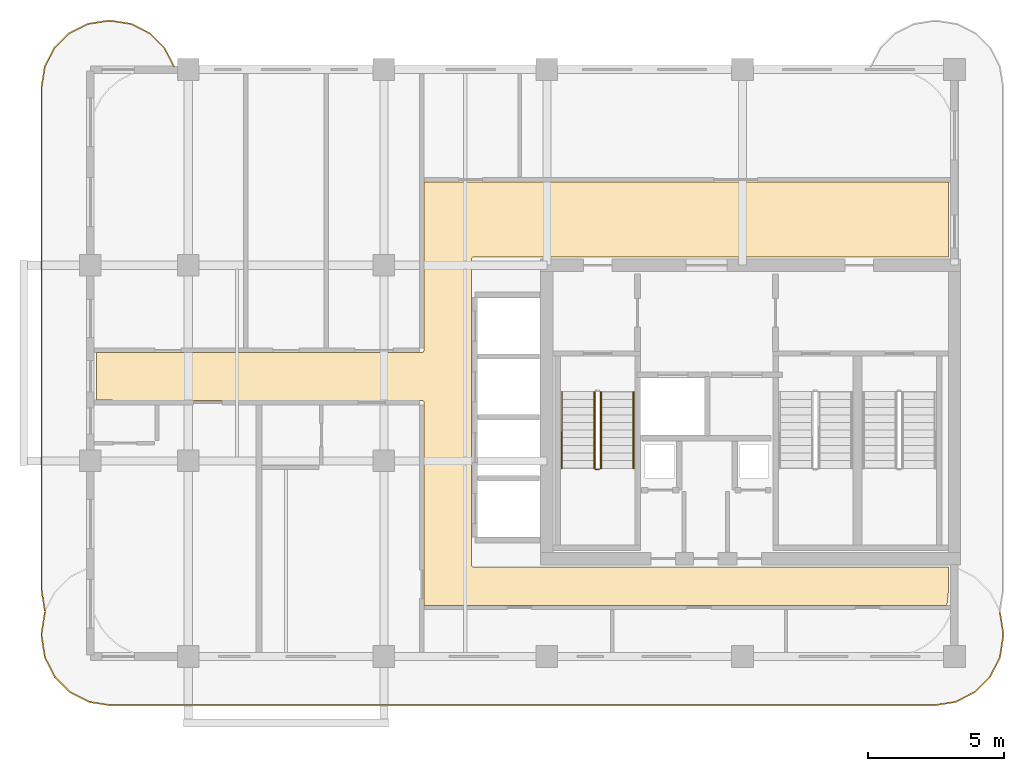
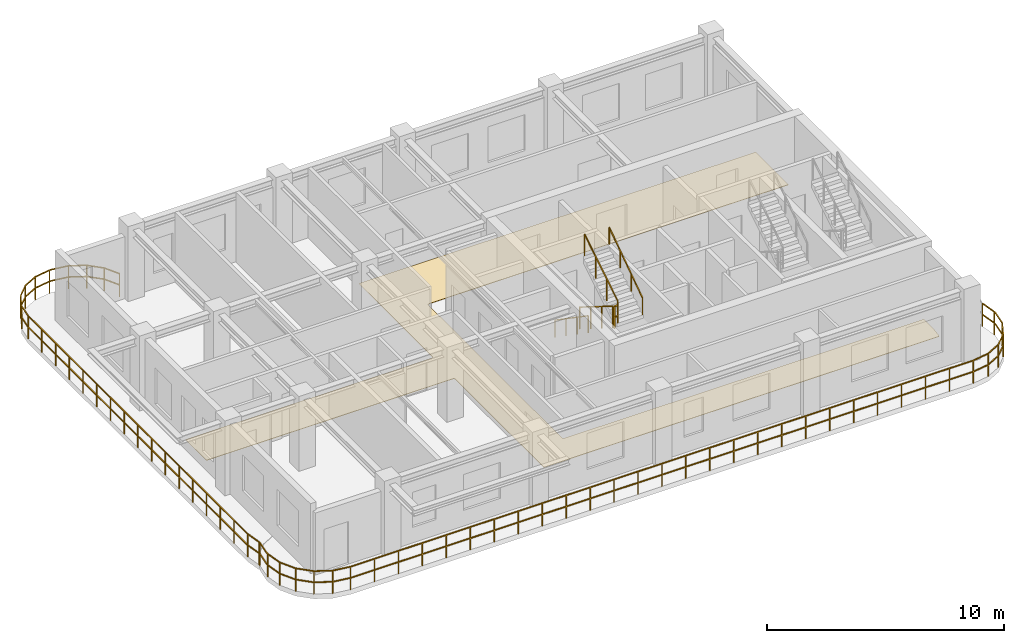
# One storey, part 6 of 7: 7 railings, 1 covering.
"""IFC4 building model written with IfcOpenShell, lengths in metres."""

import ifcopenshell
import ifcopenshell.guid

model = None  # the IFC model being written
_history = None  # IfcOwnerHistory: only IFC2X3 demands one
_inside = {}  # id of a spatial element -> (the spatial element, [elements in it])
_under = {}  # id of a project, library or spatial element -> (it, [spatial elements below it])
_declared = {}  # id of a project -> (the project, [libraries it declares])
_typed = {}  # id of a type object -> (the type object, [elements of that type])
_made_of = {}  # id of a material, layer set ... -> (it, [elements and type objects made of it])


def new_model(schema):
    """Start an empty IFC model of exactly this schema.

    Asked for "IFC4X3", IfcOpenShell would pick the latest addendum, in which some entities
    have other attributes; the version numbers below select the first issue.
    IFC2X3 requires an IfcOwnerHistory on every rooted entity: one is made here for all.
    """
    global model, _history
    if schema == "IFC4X3":
        model = ifcopenshell.file(schema_version=(4, 3, 0, 0))
    else:
        model = ifcopenshell.file(schema=schema)
    _inside.clear()
    _under.clear()
    _declared.clear()
    _typed.clear()
    _made_of.clear()
    _history = None
    if model.schema == "IFC2X3":
        org = make("IfcOrganization", Name="unknown")
        user = make(
            "IfcPersonAndOrganization",
            ThePerson=make("IfcPerson", FamilyName="unknown"),
            TheOrganization=org,
        )
        app = make(
            "IfcApplication",
            ApplicationDeveloper=org,
            Version="unknown",
            ApplicationFullName="unknown",
            ApplicationIdentifier="unknown",
        )
        _history = make(
            "IfcOwnerHistory",
            OwningUser=user,
            OwningApplication=app,
            ChangeAction="ADDED",
            CreationDate=0,
        )
    return model


def make(cls, **values):
    """One entity of the class cls with the attributes given. An attribute that is None is left unset."""
    return model.create_entity(
        cls, **{name: value for name, value in values.items() if value is not None}
    )


def rooted(cls, **values):
    """An entity with a GlobalId (a new one), such as an element, a storey or a relation."""
    return make(cls, GlobalId=ifcopenshell.guid.new(), OwnerHistory=_history, **values)


def si_unit(unit_type, name, prefix=None):
    """IfcSIUnit, for example si_unit("LENGTHUNIT", "METRE", prefix="MILLI")."""
    return make("IfcSIUnit", UnitType=unit_type, Prefix=prefix, Name=name)


def derived_unit(unit_type, elements):
    """IfcDerivedUnit: a product of units, each with its exponent."""
    return make(
        "IfcDerivedUnit",
        Elements=[
            make("IfcDerivedUnitElement", Unit=unit, Exponent=power)
            for unit, power in elements
        ],
        UnitType=unit_type,
    )


def assignment(units):
    """IfcUnitAssignment: the units of a project."""
    return None if units is None else make("IfcUnitAssignment", Units=units)


def point(xyz):
    """IfcCartesianPoint."""
    return None if xyz is None else make("IfcCartesianPoint", Coordinates=xyz)


def direction(xyz):
    """IfcDirection."""
    return None if xyz is None else make("IfcDirection", DirectionRatios=xyz)


def frame(location, z_axis=None, x_axis=None):
    """IfcAxis2Placement3D, a coordinate frame: its origin and axes. An axis left out is left unset."""
    return make(
        "IfcAxis2Placement3D",
        Location=point(location),
        Axis=direction(z_axis),
        RefDirection=direction(x_axis),
    )


def frame_2d(location, x_axis=None):
    """IfcAxis2Placement2D, a coordinate frame in the plane: its origin and x axis."""
    return make(
        "IfcAxis2Placement2D", Location=point(location), RefDirection=direction(x_axis)
    )


def origin():
    """The frame at (0, 0, 0) with its axes left unset."""
    return frame((0.0, 0.0, 0.0))


def origin_2d():
    """The frame at (0, 0) in the plane with its x axis left unset."""
    return frame_2d((0.0, 0.0))


def place(relative_to, where):
    """IfcLocalPlacement: puts the frame where relative to a parent placement (None: the world)."""
    return make(
        "IfcLocalPlacement", PlacementRelTo=relative_to, RelativePlacement=where
    )


def context(
    kind, dimensions, precision=None, world=None, true_north=None, identifier=None
):
    """IfcGeometricRepresentationContext, for example the 3D "Model" context."""
    return make(
        "IfcGeometricRepresentationContext",
        ContextIdentifier=identifier,
        ContextType=kind,
        CoordinateSpaceDimension=dimensions,
        Precision=precision,
        WorldCoordinateSystem=world,
        TrueNorth=true_north,
    )


def subcontext(parent, identifier, kind, view, scale=None):
    """IfcGeometricRepresentationSubContext, for example "Body" below "Model"."""
    return make(
        "IfcGeometricRepresentationSubContext",
        ContextIdentifier=identifier,
        ContextType=kind,
        ParentContext=parent,
        TargetScale=scale,
        TargetView=view,
    )


def project(units=None, contexts=None):
    """IfcProject with its units and contexts."""
    return rooted(
        "IfcProject",
        Name="project",
        RepresentationContexts=contexts,
        UnitsInContext=assignment(units),
    )


def spatial(cls, under=None, at=None, **own):
    """A site, building, storey or space (cls), placed at a placement, below another one or the project."""
    s = rooted(cls, ObjectPlacement=at, **own)
    if under is not None:
        _under.setdefault(under.id(), (under, []))[1].append(s)
    return s


def polyline(points):
    """IfcPolyline through the points."""
    return make("IfcPolyline", Points=[point(p) for p in points])


def profile(cls, at=None, kind="AREA", **sizes):
    """A parametric profile (cls). Its sizes go by their IFC names, for example OverallWidth=200.0."""
    return make(cls, ProfileType=kind, Position=at, **sizes)


def rectangle(**sizes):
    """IfcRectangleProfileDef."""
    return profile("IfcRectangleProfileDef", **sizes)


def outline(outer, holes=None, kind="AREA"):
    """IfcArbitraryClosedProfileDef: a profile drawn as a closed curve; with holes, ...WithVoids."""
    if holes is None:
        return make("IfcArbitraryClosedProfileDef", ProfileType=kind, OuterCurve=outer)
    return make(
        "IfcArbitraryProfileDefWithVoids",
        ProfileType=kind,
        OuterCurve=outer,
        InnerCurves=holes,
    )


def extrude(swept, where, along, depth):
    """IfcExtrudedAreaSolid: the profile swept, set in the frame where, extruded along a direction by depth."""
    return make(
        "IfcExtrudedAreaSolid",
        SweptArea=swept,
        Position=where,
        ExtrudedDirection=direction(along),
        Depth=depth,
    )


def shape(context_of_items, identifier, shape_type, items):
    """IfcShapeRepresentation: the items that make up one representation, for example the "Body"."""
    return make(
        "IfcShapeRepresentation",
        ContextOfItems=context_of_items,
        RepresentationIdentifier=identifier,
        RepresentationType=shape_type,
        Items=items,
    )


def material(Name=None, Category=None):
    """IfcMaterial."""
    return make("IfcMaterial", Name=Name, Category=Category)


def layer(
    of_material, thickness, ventilated=None, Name=None, Category=None, Priority=None
):
    """IfcMaterialLayer: one layer of a wall or slab, of a material (None: an air gap)."""
    return make(
        "IfcMaterialLayer",
        Material=of_material,
        LayerThickness=thickness,
        IsVentilated=ventilated,
        Name=Name,
        Category=Category,
        Priority=Priority,
    )


def layer_set(layers, Name=None):
    """IfcMaterialLayerSet."""
    return make("IfcMaterialLayerSet", MaterialLayers=layers, LayerSetName=Name)


def made_of(thing, what):
    """Note that an element or type object is made of a material, layer set ...; save() writes the relation."""
    if what is not None:
        _made_of.setdefault(what.id(), (what, []))[1].append(thing)
    return thing


def type_object(cls, material=None, **own):
    """A type object (cls), such as IfcWallType, which elements share."""
    return made_of(rooted(cls, **own), material)


def element(
    cls,
    number,
    at=None,
    inside=None,
    cuts=None,
    type_object=None,
    material=None,
    context=None,
    identifier="Body",
    shape_type=None,
    held_by="IfcProductDefinitionShape",
    body=None,
    shapes=None,
    **own,
):
    """One element of the class cls, such as IfcWall. Its Tag is "e" and its number.

    at: its placement. inside: the storey or other place that contains it. cuts: it is an
    opening in that element (IfcRelVoidsElement). A single representation is given by context,
    identifier, shape_type and body (its items); several are given by shapes. held_by: the class
    of the entity that holds the representations. save() writes the other relations.
    """
    e = rooted(cls, Tag="e%d" % number, ObjectPlacement=at, **own)
    if body is not None:
        shapes = [shape(context, identifier, shape_type, body)]
    if shapes is not None:
        e.Representation = make(held_by, Representations=shapes)
    if inside is not None:
        _inside.setdefault(inside.id(), (inside, []))[1].append(e)
    if cuts is not None:
        rooted(
            "IfcRelVoidsElement", RelatingBuildingElement=cuts, RelatedOpeningElement=e
        )
    if type_object is not None:
        _typed.setdefault(type_object.id(), (type_object, []))[1].append(e)
    return made_of(e, material)


def aggregate(whole, parts):
    """IfcRelAggregates: a whole, such as a stair, and the parts it consists of."""
    return rooted("IfcRelAggregates", RelatingObject=whole, RelatedObjects=parts)


def save(model, path):
    """Write the relations noted so far, then the file.

    IfcRelAggregates (storeys below a building ...), IfcRelContainedInSpatialStructure (elements
    in a storey), IfcRelDefinesByType, IfcRelAssociatesMaterial and IfcRelDeclares: one each for
    every whole, place, type object, material and project.
    """
    for whole, parts in _under.values():
        aggregate(whole, parts)
    for where, things in _inside.values():
        rooted(
            "IfcRelContainedInSpatialStructure",
            RelatedElements=things,
            RelatingStructure=where,
        )
    for kind, things in _typed.values():
        rooted("IfcRelDefinesByType", RelatedObjects=things, RelatingType=kind)
    for what, things in _made_of.values():
        rooted("IfcRelAssociatesMaterial", RelatedObjects=things, RelatingMaterial=what)
    for by, libraries in _declared.values():
        rooted("IfcRelDeclares", RelatingContext=by, RelatedDefinitions=libraries)
    model.write(path)


model = new_model("IFC4")

# Units and contexts
model_context = context("Model", 3, precision=1e-05, world=origin(), true_north=direction((0.0, 1.0)))
body_context = subcontext(model_context, "Body", "Model", "MODEL_VIEW")
ifc_project = project(units=[si_unit("LENGTHUNIT", "METRE"), si_unit("AREAUNIT", "SQUARE_METRE"), si_unit("VOLUMEUNIT", "CUBIC_METRE"), si_unit("PLANEANGLEUNIT", "RADIAN"), si_unit("MASSUNIT", "GRAM", prefix="KILO"), si_unit("THERMODYNAMICTEMPERATUREUNIT", "KELVIN"), si_unit("POWERUNIT", "WATT"), derived_unit("THERMALTRANSMITTANCEUNIT", [(si_unit("POWERUNIT", "WATT"), 1), (si_unit("AREAUNIT", "SQUARE_METRE"), -1), (si_unit("THERMODYNAMICTEMPERATUREUNIT", "KELVIN"), -1)])], contexts=[model_context])

# Site, building, storey
site_placement = place(None, origin())
site = spatial("IfcSite", under=ifc_project, at=site_placement, CompositionType="ELEMENT")
building_placement = place(site_placement, origin())
building = spatial("IfcBuilding", under=site, at=building_placement, Name="Zahravan Archway Hotel and Residences", CompositionType="ELEMENT")
storey_placement = place(building_placement, frame((0.0, 0.0, 267.35009765625)))
storey = spatial("IfcBuildingStorey", under=building, at=storey_placement, Name="L67", CompositionType="ELEMENT", Elevation=267.35009765625)

# Covering
ifc_material_1 = material(Name="Engineered Walnut Parquet Flooring")
ifc_layer = layer(ifc_material_1, 0.02197265625, Name="Engineered Walnut Parquet Flooring")
ifc_layer_set = layer_set([ifc_layer], Name="Engineered Walnut Parquet Flooring")
covering_type = type_object("IfcCoveringType", Name="COV-FLR-TIMB", PredefinedType="FLOORING", material=ifc_layer_set)
covering_placement = place(storey_placement, origin())
element("IfcCovering", 1, at=covering_placement, inside=storey, type_object=covering_type, Name="L67 Circulation Floor Finish", PredefinedType="FLOORING", context=body_context, shape_type="SweptSolid", body=[
    extrude(outline(polyline([(30.215576171875, 11.19140625), (30.256591796875, 11.21337890625), (30.278564453125, 11.25439453125), (30.280029296875, 17.469970703125), (49.580078125, 17.469970703125), (49.580078125, 14.705078125), (32.10009765625, 14.705078125), (32.0556640625, 14.69140625), (32.026123046875, 14.655517578125), (32.02001953125, 3.375), (32.033447265625, 3.33056640625), (32.0693359375, 3.301025390625), (49.580078125, 3.294921875), (49.580078125, 2.410888671875), (49.537109375, 1.974853515625), (49.50830078125, 1.8798828125), (30.280029296875, 1.8798828125), (30.280029296875, 9.35009765625), (30.2666015625, 9.394287109375), (30.230712890625, 9.423828125), (18.219970703125, 9.429931640625), (18.219970703125, 11.18994140625), (30.199951171875, 11.18994140625), (30.215576171875, 11.19140625)])), origin(), (0.0, 0.0, 1.0), 0.02197265625),
])

# Railings
ifc_material_2 = material(Name="Bronze & Laminated Glass Balustrade", Category="glass")
railing_type_1 = type_object("IfcRailingType", Name="RL-BAL-1200", PredefinedType="BALUSTRADE", material=ifc_material_2)
railing_1_placement = place(storey_placement, frame((51.47509765625, 1.637939453125, 0.0)))
element("IfcRailing", 2, at=railing_1_placement, inside=storey, type_object=railing_type_1, Name="L67 Balustrade RL-SLB-BAL-L67-SA-1", PredefinedType="BALUSTRADE", context=body_context, shape_type="SweptSolid", body=[
    extrude(rectangle(XDim=0.048095703125, YDim=0.048095703125, at=origin_2d()), frame((0.0, 0.0, 1.17578125), z_axis=(0.156701202656, -0.987646056584, 0.0), x_axis=(0.987646056584, 0.156701202656, 0.0)), (0.0, 0.0, 1.0), 0.797607421875),
    extrude(rectangle(XDim=0.048095703125, YDim=0.048095703125, at=origin_2d()), frame((0.0, 0.0, 0.60009765625), z_axis=(0.156701202656, -0.987646056584, 0.0), x_axis=(0.987646056584, 0.156701202656, 0.0)), (0.0, 0.0, 1.0), 0.797607421875),
    extrude(rectangle(XDim=0.048095703125, YDim=0.048095703125, at=origin_2d()), frame((0.125, -0.787841796875, 1.17578125), z_axis=(0.0, -1.0, 0.0), x_axis=(1.0, 0.0, 0.0)), (0.0, 0.0, 1.0), 0.10009765625),
    extrude(rectangle(XDim=0.048095703125, YDim=0.048095703125, at=origin_2d()), frame((0.125, -0.787841796875, 0.60009765625), z_axis=(0.0, -1.0, 0.0), x_axis=(1.0, 0.0, 0.0)), (0.0, 0.0, 1.0), 0.10009765625),
    extrude(rectangle(XDim=0.048095703125, YDim=0.048095703125, at=origin_2d()), frame((0.125, -0.887939453125, 1.17578125), z_axis=(-0.156653849773, -0.98765356849, 0.0), x_axis=(0.98765356849, -0.156653849773, 0.0)), (0.0, 0.0, 1.0), 0.7978515625),
    extrude(rectangle(XDim=0.048095703125, YDim=0.048095703125, at=origin_2d()), frame((0.125, -0.887939453125, 0.60009765625), z_axis=(-0.156653849773, -0.98765356849, 0.0), x_axis=(0.98765356849, -0.156653849773, 0.0)), (0.0, 0.0, 1.0), 0.7978515625),
    extrude(rectangle(XDim=0.048095703125, YDim=0.048095703125, at=origin_2d()), frame((0.0, -1.676025390625, 1.17578125), z_axis=(-0.453934952053, -0.891034824967, 0.0), x_axis=(0.891034824967, -0.453934952053, 0.0)), (0.0, 0.0, 1.0), 0.797607421875),
    extrude(rectangle(XDim=0.048095703125, YDim=0.048095703125, at=origin_2d()), frame((0.0, -1.676025390625, 0.60009765625), z_axis=(-0.453934952053, -0.891034824967, 0.0), x_axis=(0.891034824967, -0.453934952053, 0.0)), (0.0, 0.0, 1.0), 0.797607421875),
    extrude(rectangle(XDim=0.048095703125, YDim=0.048095703125, at=origin_2d()), frame((-0.362060546875, -2.38671875, 1.17578125), z_axis=(-0.707106781187, -0.707106781187, 0.0), x_axis=(0.707106781187, -0.707106781187, 0.0)), (0.0, 0.0, 1.0), 0.7978515625),
    extrude(rectangle(XDim=0.048095703125, YDim=0.048095703125, at=origin_2d()), frame((-0.362060546875, -2.38671875, 0.60009765625), z_axis=(-0.707106781187, -0.707106781187, 0.0), x_axis=(0.707106781187, -0.707106781187, 0.0)), (0.0, 0.0, 1.0), 0.7978515625),
    extrude(rectangle(XDim=0.048095703125, YDim=0.048095703125, at=origin_2d()), frame((-0.92626953125, -2.950927734375, 1.17578125), z_axis=(-0.890974108706, -0.454054113091, 0.0), x_axis=(0.454054113091, -0.890974108706, 0.0)), (0.0, 0.0, 1.0), 0.7978515625),
    extrude(rectangle(XDim=0.048095703125, YDim=0.048095703125, at=origin_2d()), frame((-0.92626953125, -2.950927734375, 0.60009765625), z_axis=(-0.890974108706, -0.454054113091, 0.0), x_axis=(0.454054113091, -0.890974108706, 0.0)), (0.0, 0.0, 1.0), 0.7978515625),
    extrude(rectangle(XDim=0.048095703125, YDim=0.048095703125, at=origin_2d()), frame((-1.63720703125, -3.313232421875, 1.17578125), z_axis=(-0.987693380745, -0.156402639467, 0.0), x_axis=(0.156402639467, -0.987693380745, 0.0)), (0.0, 0.0, 1.0), 0.797607421875),
    extrude(rectangle(XDim=0.048095703125, YDim=0.048095703125, at=origin_2d()), frame((-1.63720703125, -3.313232421875, 0.60009765625), z_axis=(-0.987693380745, -0.156402639467, 0.0), x_axis=(0.156402639467, -0.987693380745, 0.0)), (0.0, 0.0, 1.0), 0.797607421875),
    extrude(rectangle(XDim=0.048095703125, YDim=0.048095703125, at=origin_2d()), frame((-2.425048828125, -3.43798828125, 1.17578125), z_axis=(-1.0, 0.0, 0.0), x_axis=(0.0, -1.0, 0.0)), (0.0, 0.0, 1.0), 30.300048828125),
    extrude(rectangle(XDim=0.048095703125, YDim=0.048095703125, at=origin_2d()), frame((-2.425048828125, -3.43798828125, 0.60009765625), z_axis=(-1.0, 0.0, 0.0), x_axis=(0.0, -1.0, 0.0)), (0.0, 0.0, 1.0), 30.300048828125),
    extrude(rectangle(XDim=0.048095703125, YDim=0.048095703125, at=origin_2d()), frame((-32.72509765625, -3.43798828125, 1.17578125), z_axis=(-0.987700864412, 0.156355372278, 0.0), x_axis=(-0.156355372278, -0.987700864412, 0.0)), (0.0, 0.0, 1.0), 0.7978515625),
    extrude(rectangle(XDim=0.048095703125, YDim=0.048095703125, at=origin_2d()), frame((-32.72509765625, -3.43798828125, 0.60009765625), z_axis=(-0.987700864412, 0.156355372278, 0.0), x_axis=(-0.156355372278, -0.987700864412, 0.0)), (0.0, 0.0, 1.0), 0.7978515625),
    extrude(rectangle(XDim=0.048095703125, YDim=0.048095703125, at=origin_2d()), frame((-33.51318359375, -3.313232421875, 1.17578125), z_axis=(-0.890911003302, 0.454177921299, 0.0), x_axis=(-0.454177921299, -0.890911003302, 0.0)), (0.0, 0.0, 1.0), 0.797607421875),
    extrude(rectangle(XDim=0.048095703125, YDim=0.048095703125, at=origin_2d()), frame((-33.51318359375, -3.313232421875, 0.60009765625), z_axis=(-0.890911003302, 0.454177921299, 0.0), x_axis=(-0.454177921299, -0.890911003302, 0.0)), (0.0, 0.0, 1.0), 0.797607421875),
    extrude(rectangle(XDim=0.048095703125, YDim=0.048095703125, at=origin_2d()), frame((-34.223876953125, -2.950927734375, 1.17578125), z_axis=(-0.707106781187, 0.707106781187, 0.0), x_axis=(-0.707106781187, -0.707106781187, 0.0)), (0.0, 0.0, 1.0), 0.7978515625),
    extrude(rectangle(XDim=0.048095703125, YDim=0.048095703125, at=origin_2d()), frame((-34.223876953125, -2.950927734375, 0.60009765625), z_axis=(-0.707106781187, 0.707106781187, 0.0), x_axis=(-0.707106781187, -0.707106781187, 0.0)), (0.0, 0.0, 1.0), 0.7978515625),
    extrude(rectangle(XDim=0.048095703125, YDim=0.048095703125, at=origin_2d()), frame((-34.7880859375, -2.38671875, 1.17578125), z_axis=(-0.454177921299, 0.890911003302, 0.0), x_axis=(-0.890911003302, -0.454177921299, 0.0)), (0.0, 0.0, 1.0), 0.797607421875),
    extrude(rectangle(XDim=0.048095703125, YDim=0.048095703125, at=origin_2d()), frame((-34.7880859375, -2.38671875, 0.60009765625), z_axis=(-0.454177921299, 0.890911003302, 0.0), x_axis=(-0.890911003302, -0.454177921299, 0.0)), (0.0, 0.0, 1.0), 0.797607421875),
    extrude(rectangle(XDim=0.048095703125, YDim=0.048095703125, at=origin_2d()), frame((-35.150390625, -1.676025390625, 1.17578125), z_axis=(-0.156355372278, 0.987700864412, 0.0), x_axis=(-0.987700864412, -0.156355372278, 0.0)), (0.0, 0.0, 1.0), 0.7978515625),
    extrude(rectangle(XDim=0.048095703125, YDim=0.048095703125, at=origin_2d()), frame((-35.150390625, -1.676025390625, 0.60009765625), z_axis=(-0.156355372278, 0.987700864412, 0.0), x_axis=(-0.987700864412, -0.156355372278, 0.0)), (0.0, 0.0, 1.0), 0.7978515625),
    extrude(rectangle(XDim=0.048095703125, YDim=0.048095703125, at=origin_2d()), frame((-35.275146484375, -0.887939453125, 1.17578125), z_axis=(0.0, 1.0, 0.0), x_axis=(-1.0, 0.0, 0.0)), (0.0, 0.0, 1.0), 0.10009765625),
    extrude(rectangle(XDim=0.048095703125, YDim=0.048095703125, at=origin_2d()), frame((-35.275146484375, -0.887939453125, 0.60009765625), z_axis=(0.0, 1.0, 0.0), x_axis=(-1.0, 0.0, 0.0)), (0.0, 0.0, 1.0), 0.10009765625),
    extrude(rectangle(XDim=0.048095703125, YDim=0.048095703125, at=origin_2d()), frame((-35.275146484375, -0.787841796875, 1.17578125), z_axis=(0.156402639467, 0.987693380745, 0.0), x_axis=(-0.987693380745, 0.156402639467, 0.0)), (0.0, 0.0, 1.0), 0.797607421875),
    extrude(rectangle(XDim=0.048095703125, YDim=0.048095703125, at=origin_2d()), frame((-35.275146484375, -0.787841796875, 0.60009765625), z_axis=(0.156402639467, 0.987693380745, 0.0), x_axis=(-0.987693380745, 0.156402639467, 0.0)), (0.0, 0.0, 1.0), 0.797607421875),
    extrude(rectangle(XDim=0.0419921875, YDim=0.0419921875, at=origin_2d()), origin(), (0.0, 0.0, 1.0), 1.15185546875),
    extrude(rectangle(XDim=0.0419921875, YDim=0.0419921875, at=origin_2d()), frame((0.125, -0.787841796875, 0.0)), (0.0, 0.0, 1.0), 1.15185546875),
    extrude(rectangle(XDim=0.0419921875, YDim=0.0419921875, at=origin_2d()), frame((0.0, -1.676025390625, 0.0)), (0.0, 0.0, 1.0), 1.15185546875),
    extrude(rectangle(XDim=0.0419921875, YDim=0.0419921875, at=origin_2d()), frame((-0.362060546875, -2.38671875, 0.0)), (0.0, 0.0, 1.0), 1.15185546875),
    extrude(rectangle(XDim=0.0419921875, YDim=0.0419921875, at=origin_2d()), frame((-0.92626953125, -2.950927734375, 0.0)), (0.0, 0.0, 1.0), 1.15185546875),
    extrude(rectangle(XDim=0.0419921875, YDim=0.0419921875, at=origin_2d()), frame((-1.63720703125, -3.313232421875, 0.0)), (0.0, 0.0, 1.0), 1.15185546875),
    extrude(rectangle(XDim=0.0419921875, YDim=0.0419921875, at=origin_2d()), frame((-2.425048828125, -3.43798828125, 0.0)), (0.0, 0.0, 1.0), 1.15185546875),
    extrude(rectangle(XDim=0.0419921875, YDim=0.0419921875, at=origin_2d()), frame((-3.59033203125, -3.43798828125, 0.0)), (0.0, 0.0, 1.0), 1.15185546875),
    extrude(rectangle(XDim=0.0419921875, YDim=0.0419921875, at=origin_2d()), frame((-4.755859375, -3.43798828125, 0.0)), (0.0, 0.0, 1.0), 1.15185546875),
    extrude(rectangle(XDim=0.0419921875, YDim=0.0419921875, at=origin_2d()), frame((-5.921142578125, -3.43798828125, 0.0)), (0.0, 0.0, 1.0), 1.15185546875),
    extrude(rectangle(XDim=0.0419921875, YDim=0.0419921875, at=origin_2d()), frame((-7.086669921875, -3.43798828125, 0.0)), (0.0, 0.0, 1.0), 1.15185546875),
    extrude(rectangle(XDim=0.0419921875, YDim=0.0419921875, at=origin_2d()), frame((-8.251953125, -3.43798828125, 0.0)), (0.0, 0.0, 1.0), 1.15185546875),
    extrude(rectangle(XDim=0.0419921875, YDim=0.0419921875, at=origin_2d()), frame((-9.41748046875, -3.43798828125, 0.0)), (0.0, 0.0, 1.0), 1.15185546875),
    extrude(rectangle(XDim=0.0419921875, YDim=0.0419921875, at=origin_2d()), frame((-10.582763671875, -3.43798828125, 0.0)), (0.0, 0.0, 1.0), 1.15185546875),
    extrude(rectangle(XDim=0.0419921875, YDim=0.0419921875, at=origin_2d()), frame((-11.748046875, -3.43798828125, 0.0)), (0.0, 0.0, 1.0), 1.15185546875),
    extrude(rectangle(XDim=0.0419921875, YDim=0.0419921875, at=origin_2d()), frame((-12.91357421875, -3.43798828125, 0.0)), (0.0, 0.0, 1.0), 1.15185546875),
    extrude(rectangle(XDim=0.0419921875, YDim=0.0419921875, at=origin_2d()), frame((-14.078857421875, -3.43798828125, 0.0)), (0.0, 0.0, 1.0), 1.15185546875),
    extrude(rectangle(XDim=0.0419921875, YDim=0.0419921875, at=origin_2d()), frame((-15.244384765625, -3.43798828125, 0.0)), (0.0, 0.0, 1.0), 1.15185546875),
    extrude(rectangle(XDim=0.0419921875, YDim=0.0419921875, at=origin_2d()), frame((-16.40966796875, -3.43798828125, 0.0)), (0.0, 0.0, 1.0), 1.15185546875),
    extrude(rectangle(XDim=0.0419921875, YDim=0.0419921875, at=origin_2d()), frame((-17.5751953125, -3.43798828125, 0.0)), (0.0, 0.0, 1.0), 1.15185546875),
    extrude(rectangle(XDim=0.0419921875, YDim=0.0419921875, at=origin_2d()), frame((-18.740478515625, -3.43798828125, 0.0)), (0.0, 0.0, 1.0), 1.15185546875),
    extrude(rectangle(XDim=0.0419921875, YDim=0.0419921875, at=origin_2d()), frame((-19.90576171875, -3.43798828125, 0.0)), (0.0, 0.0, 1.0), 1.15185546875),
    extrude(rectangle(XDim=0.0419921875, YDim=0.0419921875, at=origin_2d()), frame((-21.0712890625, -3.43798828125, 0.0)), (0.0, 0.0, 1.0), 1.15185546875),
    extrude(rectangle(XDim=0.0419921875, YDim=0.0419921875, at=origin_2d()), frame((-22.236572265625, -3.43798828125, 0.0)), (0.0, 0.0, 1.0), 1.15185546875),
    extrude(rectangle(XDim=0.0419921875, YDim=0.0419921875, at=origin_2d()), frame((-23.402099609375, -3.43798828125, 0.0)), (0.0, 0.0, 1.0), 1.15185546875),
    extrude(rectangle(XDim=0.0419921875, YDim=0.0419921875, at=origin_2d()), frame((-24.5673828125, -3.43798828125, 0.0)), (0.0, 0.0, 1.0), 1.15185546875),
    extrude(rectangle(XDim=0.0419921875, YDim=0.0419921875, at=origin_2d()), frame((-25.732666015625, -3.43798828125, 0.0)), (0.0, 0.0, 1.0), 1.15185546875),
    extrude(rectangle(XDim=0.0419921875, YDim=0.0419921875, at=origin_2d()), frame((-26.898193359375, -3.43798828125, 0.0)), (0.0, 0.0, 1.0), 1.15185546875),
    extrude(rectangle(XDim=0.0419921875, YDim=0.0419921875, at=origin_2d()), frame((-28.0634765625, -3.43798828125, 0.0)), (0.0, 0.0, 1.0), 1.15185546875),
    extrude(rectangle(XDim=0.0419921875, YDim=0.0419921875, at=origin_2d()), frame((-29.22900390625, -3.43798828125, 0.0)), (0.0, 0.0, 1.0), 1.15185546875),
    extrude(rectangle(XDim=0.0419921875, YDim=0.0419921875, at=origin_2d()), frame((-30.394287109375, -3.43798828125, 0.0)), (0.0, 0.0, 1.0), 1.15185546875),
    extrude(rectangle(XDim=0.0419921875, YDim=0.0419921875, at=origin_2d()), frame((-31.559814453125, -3.43798828125, 0.0)), (0.0, 0.0, 1.0), 1.15185546875),
    extrude(rectangle(XDim=0.0419921875, YDim=0.0419921875, at=origin_2d()), frame((-32.72509765625, -3.43798828125, 0.0)), (0.0, 0.0, 1.0), 1.15185546875),
    extrude(rectangle(XDim=0.0419921875, YDim=0.0419921875, at=origin_2d()), frame((-33.51318359375, -3.313232421875, 0.0)), (0.0, 0.0, 1.0), 1.15185546875),
    extrude(rectangle(XDim=0.0419921875, YDim=0.0419921875, at=origin_2d()), frame((-34.223876953125, -2.950927734375, 0.0)), (0.0, 0.0, 1.0), 1.15185546875),
    extrude(rectangle(XDim=0.0419921875, YDim=0.0419921875, at=origin_2d()), frame((-34.7880859375, -2.38671875, 0.0)), (0.0, 0.0, 1.0), 1.15185546875),
    extrude(rectangle(XDim=0.0419921875, YDim=0.0419921875, at=origin_2d()), frame((-35.150390625, -1.676025390625, 0.0)), (0.0, 0.0, 1.0), 1.15185546875),
    extrude(rectangle(XDim=0.0419921875, YDim=0.0419921875, at=origin_2d()), frame((-35.275146484375, -0.887939453125, 0.0)), (0.0, 0.0, 1.0), 1.15185546875),
    extrude(rectangle(XDim=0.0419921875, YDim=0.0419921875, at=origin_2d()), frame((-35.150390625, 0.0, 0.0)), (0.0, 0.0, 1.0), 1.15185546875),
])
railing_2_placement = place(storey_placement, frame((16.31982421875, 1.69287109375, 0.0)))
element("IfcRailing", 3, at=railing_2_placement, inside=storey, type_object=railing_type_1, Name="L67 Balustrade RL-SLB-BAL-L67-WA-1", PredefinedType="BALUSTRADE", context=body_context, shape_type="SweptSolid", body=[
    extrude(rectangle(XDim=0.048095703125, YDim=0.048095703125, at=origin_2d()), frame((0.0, 0.0, 1.17578125), z_axis=(-0.156387811283, 0.987695728695, 0.0), x_axis=(-0.987695728695, -0.156387811283, 0.0)), (0.0, 0.0, 1.0), 0.7666015625),
    extrude(rectangle(XDim=0.048095703125, YDim=0.048095703125, at=origin_2d()), frame((0.0, 0.0, 0.60009765625), z_axis=(-0.156387811283, 0.987695728695, 0.0), x_axis=(-0.987695728695, -0.156387811283, 0.0)), (0.0, 0.0, 1.0), 0.7666015625),
    extrude(rectangle(XDim=0.048095703125, YDim=0.048095703125, at=origin_2d()), frame((-0.119873046875, 0.757080078125, 1.17578125), z_axis=(0.0, 1.0, 0.0), x_axis=(-1.0, 0.0, 0.0)), (0.0, 0.0, 1.0), 18.5),
    extrude(rectangle(XDim=0.048095703125, YDim=0.048095703125, at=origin_2d()), frame((-0.119873046875, 0.757080078125, 0.60009765625), z_axis=(0.0, 1.0, 0.0), x_axis=(-1.0, 0.0, 0.0)), (0.0, 0.0, 1.0), 18.5),
    extrude(rectangle(XDim=0.048095703125, YDim=0.048095703125, at=origin_2d()), frame((-0.119873046875, 19.257080078125, 1.17578125), z_axis=(0.156387811283, 0.987695728695, 0.0), x_axis=(-0.987695728695, 0.156387811283, 0.0)), (0.0, 0.0, 1.0), 0.7666015625),
    extrude(rectangle(XDim=0.048095703125, YDim=0.048095703125, at=origin_2d()), frame((-0.119873046875, 19.257080078125, 0.60009765625), z_axis=(0.156387811283, 0.987695728695, 0.0), x_axis=(-0.987695728695, 0.156387811283, 0.0)), (0.0, 0.0, 1.0), 0.7666015625),
    extrude(rectangle(XDim=0.048095703125, YDim=0.048095703125, at=origin_2d()), frame((0.0, 20.01416015625, 1.17578125), z_axis=(0.454078418624, 0.890961721815, 0.0), x_axis=(-0.890961721815, 0.454078418624, 0.0)), (0.0, 0.0, 1.0), 0.7666015625),
    extrude(rectangle(XDim=0.048095703125, YDim=0.048095703125, at=origin_2d()), frame((0.0, 20.01416015625, 0.60009765625), z_axis=(0.454078418624, 0.890961721815, 0.0), x_axis=(-0.890961721815, 0.454078418624, 0.0)), (0.0, 0.0, 1.0), 0.7666015625),
    extrude(rectangle(XDim=0.048095703125, YDim=0.048095703125, at=origin_2d()), frame((0.34814453125, 20.697265625, 1.17578125), z_axis=(0.707106781187, 0.707106781187, 0.0), x_axis=(-0.707106781187, 0.707106781187, 0.0)), (0.0, 0.0, 1.0), 0.7666015625),
    extrude(rectangle(XDim=0.048095703125, YDim=0.048095703125, at=origin_2d()), frame((0.34814453125, 20.697265625, 0.60009765625), z_axis=(0.707106781187, 0.707106781187, 0.0), x_axis=(-0.707106781187, 0.707106781187, 0.0)), (0.0, 0.0, 1.0), 0.7666015625),
    extrude(rectangle(XDim=0.048095703125, YDim=0.048095703125, at=origin_2d()), frame((0.89013671875, 21.2392578125, 1.17578125), z_axis=(0.891024909783, 0.453954414172, 0.0), x_axis=(-0.453954414172, 0.891024909783, 0.0)), (0.0, 0.0, 1.0), 0.766357421875),
    extrude(rectangle(XDim=0.048095703125, YDim=0.048095703125, at=origin_2d()), frame((0.89013671875, 21.2392578125, 0.60009765625), z_axis=(0.891024909783, 0.453954414172, 0.0), x_axis=(-0.453954414172, 0.891024909783, 0.0)), (0.0, 0.0, 1.0), 0.766357421875),
    extrude(rectangle(XDim=0.048095703125, YDim=0.048095703125, at=origin_2d()), frame((1.572998046875, 21.587158203125, 1.17578125), z_axis=(0.987695728695, 0.156387811283, 0.0), x_axis=(-0.156387811283, 0.987695728695, 0.0)), (0.0, 0.0, 1.0), 0.7666015625),
    extrude(rectangle(XDim=0.048095703125, YDim=0.048095703125, at=origin_2d()), frame((1.572998046875, 21.587158203125, 0.60009765625), z_axis=(0.987695728695, 0.156387811283, 0.0), x_axis=(-0.156387811283, 0.987695728695, 0.0)), (0.0, 0.0, 1.0), 0.7666015625),
    extrude(rectangle(XDim=0.048095703125, YDim=0.048095703125, at=origin_2d()), frame((2.330078125, 21.70703125, 1.17578125), z_axis=(1.0, 0.0, 0.0), x_axis=(0.0, 1.0, 0.0)), (0.0, 0.0, 1.0), 0.10009765625),
    extrude(rectangle(XDim=0.048095703125, YDim=0.048095703125, at=origin_2d()), frame((2.330078125, 21.70703125, 0.60009765625), z_axis=(1.0, 0.0, 0.0), x_axis=(0.0, 1.0, 0.0)), (0.0, 0.0, 1.0), 0.10009765625),
    extrude(rectangle(XDim=0.048095703125, YDim=0.048095703125, at=origin_2d()), frame((2.43017578125, 21.70703125, 1.17578125), z_axis=(0.987695728695, -0.156387811283, 0.0), x_axis=(0.156387811283, 0.987695728695, 0.0)), (0.0, 0.0, 1.0), 0.7666015625),
    extrude(rectangle(XDim=0.048095703125, YDim=0.048095703125, at=origin_2d()), frame((2.43017578125, 21.70703125, 0.60009765625), z_axis=(0.987695728695, -0.156387811283, 0.0), x_axis=(0.156387811283, 0.987695728695, 0.0)), (0.0, 0.0, 1.0), 0.7666015625),
    extrude(rectangle(XDim=0.048095703125, YDim=0.048095703125, at=origin_2d()), frame((3.187255859375, 21.587158203125, 1.17578125), z_axis=(0.891090529897, -0.453825591531, 0.0), x_axis=(0.453825591531, 0.891090529897, 0.0)), (0.0, 0.0, 1.0), 0.7666015625),
    extrude(rectangle(XDim=0.048095703125, YDim=0.048095703125, at=origin_2d()), frame((3.187255859375, 21.587158203125, 0.60009765625), z_axis=(0.891090529897, -0.453825591531, 0.0), x_axis=(0.453825591531, 0.891090529897, 0.0)), (0.0, 0.0, 1.0), 0.7666015625),
    extrude(rectangle(XDim=0.048095703125, YDim=0.048095703125, at=origin_2d()), frame((3.870361328125, 21.2392578125, 1.17578125), z_axis=(0.707106781187, -0.707106781187, 0.0), x_axis=(0.707106781187, 0.707106781187, 0.0)), (0.0, 0.0, 1.0), 0.7666015625),
    extrude(rectangle(XDim=0.048095703125, YDim=0.048095703125, at=origin_2d()), frame((3.870361328125, 21.2392578125, 0.60009765625), z_axis=(0.707106781187, -0.707106781187, 0.0), x_axis=(0.707106781187, 0.707106781187, 0.0)), (0.0, 0.0, 1.0), 0.7666015625),
    extrude(rectangle(XDim=0.048095703125, YDim=0.048095703125, at=origin_2d()), frame((4.412353515625, 20.697265625, 1.17578125), z_axis=(0.453825591531, -0.891090529897, 0.0), x_axis=(0.891090529897, 0.453825591531, 0.0)), (0.0, 0.0, 1.0), 0.7666015625),
    extrude(rectangle(XDim=0.048095703125, YDim=0.048095703125, at=origin_2d()), frame((4.412353515625, 20.697265625, 0.60009765625), z_axis=(0.453825591531, -0.891090529897, 0.0), x_axis=(0.891090529897, 0.453825591531, 0.0)), (0.0, 0.0, 1.0), 0.7666015625),
    extrude(rectangle(XDim=0.0419921875, YDim=0.0419921875, at=origin_2d()), origin(), (0.0, 0.0, 1.0), 1.15185546875),
    extrude(rectangle(XDim=0.0419921875, YDim=0.0419921875, at=origin_2d()), frame((-0.119873046875, 0.757080078125, 0.0)), (0.0, 0.0, 1.0), 1.15185546875),
    extrude(rectangle(XDim=0.0419921875, YDim=0.0419921875, at=origin_2d()), frame((-0.119873046875, 1.913330078125, 0.0)), (0.0, 0.0, 1.0), 1.15185546875),
    extrude(rectangle(XDim=0.0419921875, YDim=0.0419921875, at=origin_2d()), frame((-0.119873046875, 3.069580078125, 0.0)), (0.0, 0.0, 1.0), 1.15185546875),
    extrude(rectangle(XDim=0.0419921875, YDim=0.0419921875, at=origin_2d()), frame((-0.119873046875, 4.225830078125, 0.0)), (0.0, 0.0, 1.0), 1.15185546875),
    extrude(rectangle(XDim=0.0419921875, YDim=0.0419921875, at=origin_2d()), frame((-0.119873046875, 5.382080078125, 0.0)), (0.0, 0.0, 1.0), 1.15185546875),
    extrude(rectangle(XDim=0.0419921875, YDim=0.0419921875, at=origin_2d()), frame((-0.119873046875, 6.538330078125, 0.0)), (0.0, 0.0, 1.0), 1.15185546875),
    extrude(rectangle(XDim=0.0419921875, YDim=0.0419921875, at=origin_2d()), frame((-0.119873046875, 7.694580078125, 0.0)), (0.0, 0.0, 1.0), 1.15185546875),
    extrude(rectangle(XDim=0.0419921875, YDim=0.0419921875, at=origin_2d()), frame((-0.119873046875, 8.850830078125, 0.0)), (0.0, 0.0, 1.0), 1.15185546875),
    extrude(rectangle(XDim=0.0419921875, YDim=0.0419921875, at=origin_2d()), frame((-0.119873046875, 10.007080078125, 0.0)), (0.0, 0.0, 1.0), 1.15185546875),
    extrude(rectangle(XDim=0.0419921875, YDim=0.0419921875, at=origin_2d()), frame((-0.119873046875, 11.163330078125, 0.0)), (0.0, 0.0, 1.0), 1.15185546875),
    extrude(rectangle(XDim=0.0419921875, YDim=0.0419921875, at=origin_2d()), frame((-0.119873046875, 12.319580078125, 0.0)), (0.0, 0.0, 1.0), 1.15185546875),
    extrude(rectangle(XDim=0.0419921875, YDim=0.0419921875, at=origin_2d()), frame((-0.119873046875, 13.475830078125, 0.0)), (0.0, 0.0, 1.0), 1.15185546875),
    extrude(rectangle(XDim=0.0419921875, YDim=0.0419921875, at=origin_2d()), frame((-0.119873046875, 14.632080078125, 0.0)), (0.0, 0.0, 1.0), 1.15185546875),
    extrude(rectangle(XDim=0.0419921875, YDim=0.0419921875, at=origin_2d()), frame((-0.119873046875, 15.788330078125, 0.0)), (0.0, 0.0, 1.0), 1.15185546875),
    extrude(rectangle(XDim=0.0419921875, YDim=0.0419921875, at=origin_2d()), frame((-0.119873046875, 16.944580078125, 0.0)), (0.0, 0.0, 1.0), 1.15185546875),
    extrude(rectangle(XDim=0.0419921875, YDim=0.0419921875, at=origin_2d()), frame((-0.119873046875, 18.100830078125, 0.0)), (0.0, 0.0, 1.0), 1.15185546875),
    extrude(rectangle(XDim=0.0419921875, YDim=0.0419921875, at=origin_2d()), frame((-0.119873046875, 19.257080078125, 0.0)), (0.0, 0.0, 1.0), 1.15185546875),
    extrude(rectangle(XDim=0.0419921875, YDim=0.0419921875, at=origin_2d()), frame((0.0, 20.01416015625, 0.0)), (0.0, 0.0, 1.0), 1.15185546875),
    extrude(rectangle(XDim=0.0419921875, YDim=0.0419921875, at=origin_2d()), frame((0.34814453125, 20.697265625, 0.0)), (0.0, 0.0, 1.0), 1.15185546875),
    extrude(rectangle(XDim=0.0419921875, YDim=0.0419921875, at=origin_2d()), frame((0.89013671875, 21.2392578125, 0.0)), (0.0, 0.0, 1.0), 1.15185546875),
    extrude(rectangle(XDim=0.0419921875, YDim=0.0419921875, at=origin_2d()), frame((1.572998046875, 21.587158203125, 0.0)), (0.0, 0.0, 1.0), 1.15185546875),
    extrude(rectangle(XDim=0.0419921875, YDim=0.0419921875, at=origin_2d()), frame((2.330078125, 21.70703125, 0.0)), (0.0, 0.0, 1.0), 1.15185546875),
    extrude(rectangle(XDim=0.0419921875, YDim=0.0419921875, at=origin_2d()), frame((3.187255859375, 21.587158203125, 0.0)), (0.0, 0.0, 1.0), 1.15185546875),
    extrude(rectangle(XDim=0.0419921875, YDim=0.0419921875, at=origin_2d()), frame((3.870361328125, 21.2392578125, 0.0)), (0.0, 0.0, 1.0), 1.15185546875),
    extrude(rectangle(XDim=0.0419921875, YDim=0.0419921875, at=origin_2d()), frame((4.412353515625, 20.697265625, 0.0)), (0.0, 0.0, 1.0), 1.15185546875),
    extrude(rectangle(XDim=0.0419921875, YDim=0.0419921875, at=origin_2d()), frame((4.76025390625, 20.01416015625, 0.0)), (0.0, 0.0, 1.0), 1.15185546875),
])
ifc_material_3 = material(Name="Painted Tubular Steel", Category="steel")
railing_type_2 = type_object("IfcRailingType", Name="RL-STG-1150", PredefinedType="GUARDRAIL", material=ifc_material_3)
railing_3_placement = place(storey_placement, frame((36.550048828125, 9.72998046875, 0.1748046875)))
element("IfcRailing", 4, at=railing_3_placement, inside=storey, type_object=railing_type_2, Name="L67 ST-A1 stair guard 1", PredefinedType="GUARDRAIL", context=body_context, shape_type="SweptSolid", body=[
    extrude(rectangle(XDim=0.048095703125, YDim=0.048095703125, at=origin_2d()), frame((0.0, 0.0, 1.1259765625), z_axis=(0.0, -0.848002457836, 0.529992293815), x_axis=(1.0, 0.0, 0.0)), (0.0, 0.0, 1.0), 3.302001953125),
    extrude(rectangle(XDim=0.0419921875, YDim=0.0419921875, at=origin_2d()), origin(), (0.0, 0.0, 1.0), 1.101806640625),
    extrude(rectangle(XDim=0.0419921875, YDim=0.0419921875, at=origin_2d()), frame((0.0, -0.933349609375, 0.583251953125)), (0.0, 0.0, 1.0), 1.101806640625),
    extrude(rectangle(XDim=0.0419921875, YDim=0.0419921875, at=origin_2d()), frame((0.0, -1.86669921875, 1.166748046875)), (0.0, 0.0, 1.0), 1.101806640625),
    extrude(rectangle(XDim=0.0419921875, YDim=0.0419921875, at=origin_2d()), frame((0.0, -2.800048828125, 1.75)), (0.0, 0.0, 1.0), 1.101806640625),
])
railing_4_placement = place(storey_placement, frame((36.60009765625, 6.8798828125, 1.9248046875)))
element("IfcRailing", 5, at=railing_4_placement, inside=storey, type_object=railing_type_2, Name="L67 ST-A1 stair guard 2", PredefinedType="GUARDRAIL", context=body_context, shape_type="SweptSolid", body=[
    extrude(rectangle(XDim=0.048095703125, YDim=0.048095703125, at=origin_2d()), frame((0.0, 0.0, 1.1259765625), z_axis=(1.0, 0.0, 0.0), x_axis=(0.0, 1.0, 0.0)), (0.0, 0.0, 1.0), 0.139892578125),
    extrude(rectangle(XDim=0.048095703125, YDim=0.048095703125, at=origin_2d()), frame((0.0, 0.0, 0.574951171875), z_axis=(1.0, 0.0, 0.0), x_axis=(0.0, 1.0, 0.0)), (0.0, 0.0, 1.0), 0.139892578125),
    extrude(rectangle(XDim=0.0419921875, YDim=0.0419921875, at=origin_2d()), origin(), (0.0, 0.0, 1.0), 1.101806640625),
])
railing_5_placement = place(storey_placement, frame((36.7900390625, 6.929931640625, 2.099853515625)))
element("IfcRailing", 6, at=railing_5_placement, inside=storey, type_object=railing_type_2, Name="L67 ST-A1 stair guard 3", PredefinedType="GUARDRAIL", context=body_context, shape_type="SweptSolid", body=[
    extrude(rectangle(XDim=0.048095703125, YDim=0.048095703125, at=origin_2d()), frame((0.0, 0.0, 1.1259765625), z_axis=(0.0, 0.848002457836, 0.529992293815), x_axis=(-1.0, 0.0, 0.0)), (0.0, 0.0, 1.0), 3.302001953125),
    extrude(rectangle(XDim=0.0419921875, YDim=0.0419921875, at=origin_2d()), origin(), (0.0, 0.0, 1.0), 1.101806640625),
    extrude(rectangle(XDim=0.0419921875, YDim=0.0419921875, at=origin_2d()), frame((0.0, 0.933349609375, 0.583251953125)), (0.0, 0.0, 1.0), 1.101806640625),
    extrude(rectangle(XDim=0.0419921875, YDim=0.0419921875, at=origin_2d()), frame((0.0, 1.86669921875, 1.166748046875)), (0.0, 0.0, 1.0), 1.101806640625),
    extrude(rectangle(XDim=0.0419921875, YDim=0.0419921875, at=origin_2d()), frame((0.0, 2.800048828125, 1.75)), (0.0, 0.0, 1.0), 1.101806640625),
])
ifc_material_4 = material(Name="Brushed Stainless Steel", Category="steel")
railing_type_3 = type_object("IfcRailingType", Name="RL-STH-900", PredefinedType="HANDRAIL", material=ifc_material_4)
railing_6_placement = place(storey_placement, frame((35.35009765625, 9.72998046875, 0.1748046875)))
element("IfcRailing", 7, at=railing_6_placement, inside=storey, type_object=railing_type_3, Name="L67 ST-A1 stair handrail 1", PredefinedType="HANDRAIL", context=body_context, shape_type="SweptSolid", body=[
    extrude(rectangle(XDim=0.048095703125, YDim=0.048095703125, at=origin_2d()), frame((0.0, 0.0, 0.8759765625), z_axis=(0.0, -0.824039827795, 0.566531872191), x_axis=(1.0, 0.0, 0.0)), (0.0, 0.0, 1.0), 3.39794921875),
    extrude(rectangle(XDim=0.0419921875, YDim=0.0419921875, at=origin_2d()), origin(), (0.0, 0.0, 1.0), 0.851806640625),
    extrude(rectangle(XDim=0.0419921875, YDim=0.0419921875, at=origin_2d()), frame((0.0, -0.933349609375, 0.6416015625)), (0.0, 0.0, 1.0), 0.851806640625),
    extrude(rectangle(XDim=0.0419921875, YDim=0.0419921875, at=origin_2d()), frame((0.0, -1.86669921875, 1.283447265625)), (0.0, 0.0, 1.0), 0.851806640625),
    extrude(rectangle(XDim=0.0419921875, YDim=0.0419921875, at=origin_2d()), frame((0.0, -2.800048828125, 1.925048828125)), (0.0, 0.0, 1.0), 0.851806640625),
])
railing_7_placement = place(storey_placement, frame((37.989990234375, 6.929931640625, 2.099853515625)))
element("IfcRailing", 8, at=railing_7_placement, inside=storey, type_object=railing_type_3, Name="L67 ST-A1 stair handrail 2", PredefinedType="HANDRAIL", context=body_context, shape_type="SweptSolid", body=[
    extrude(rectangle(XDim=0.048095703125, YDim=0.048095703125, at=origin_2d()), frame((0.0, 0.0, 0.8759765625), z_axis=(0.0, 0.824039827795, 0.566531872191), x_axis=(-1.0, 0.0, 0.0)), (0.0, 0.0, 1.0), 3.39794921875),
    extrude(rectangle(XDim=0.0419921875, YDim=0.0419921875, at=origin_2d()), origin(), (0.0, 0.0, 1.0), 0.851806640625),
    extrude(rectangle(XDim=0.0419921875, YDim=0.0419921875, at=origin_2d()), frame((0.0, 0.933349609375, 0.6416015625)), (0.0, 0.0, 1.0), 0.851806640625),
    extrude(rectangle(XDim=0.0419921875, YDim=0.0419921875, at=origin_2d()), frame((0.0, 1.86669921875, 1.283447265625)), (0.0, 0.0, 1.0), 0.851806640625),
    extrude(rectangle(XDim=0.0419921875, YDim=0.0419921875, at=origin_2d()), frame((0.0, 2.800048828125, 1.925048828125)), (0.0, 0.0, 1.0), 0.851806640625),
])

save(model, "model.ifc")
